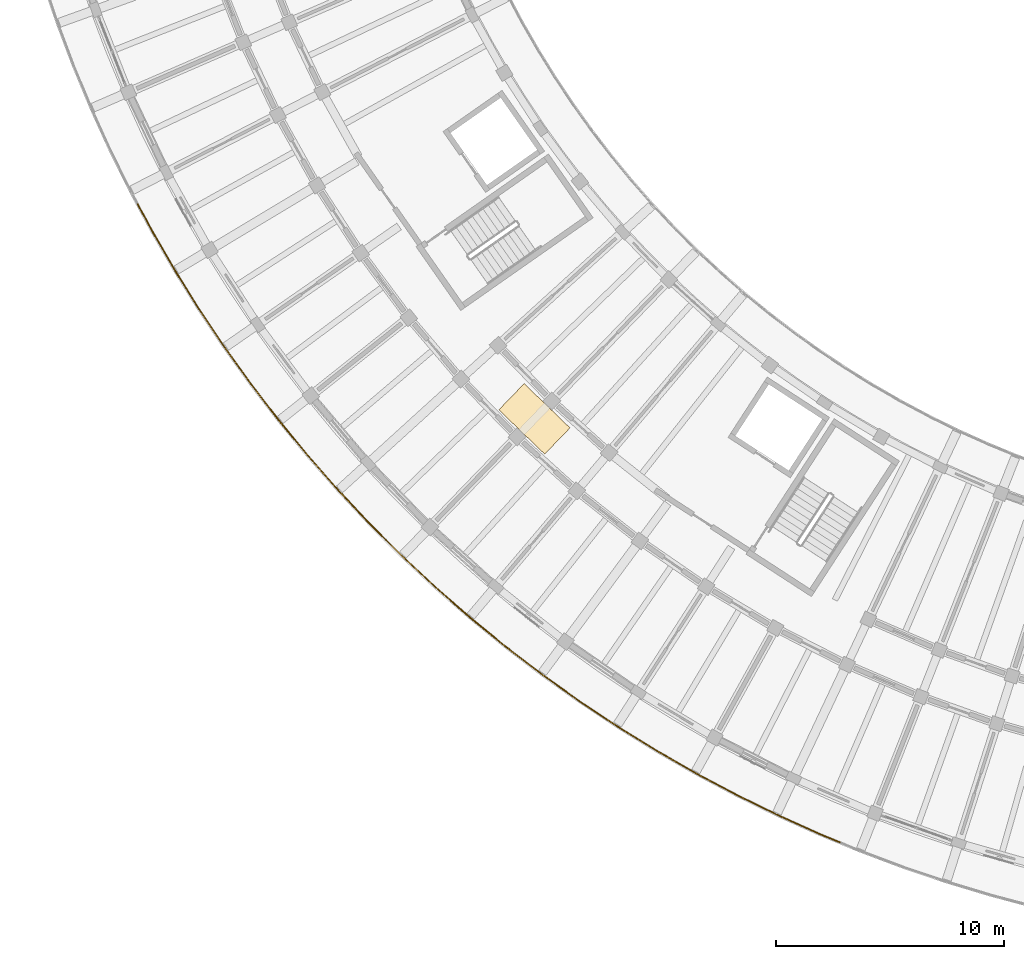
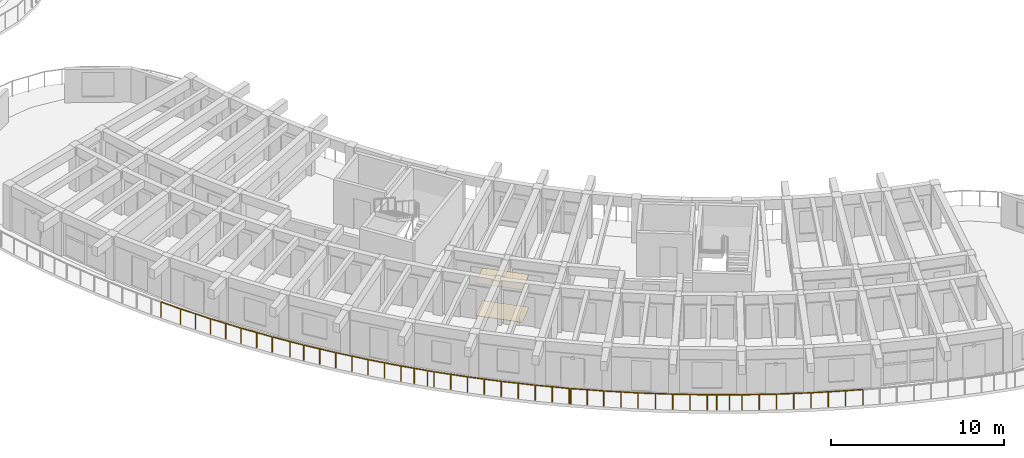
# One storey, part 65 of 81: 5 railings, 2 coverings.
"""IFC4 building model written with IfcOpenShell, lengths in metres."""

from ifc_helpers import new_model, si_unit, direction, frame, origin, origin_2d, place, context, subcontext, project, spatial, rectangle, circle, extrude, material, layer, layer_set, type_object, element, save


model = new_model("IFC4")

# Units and contexts
model_context = context("Model", 3, precision=1e-05, world=origin(), true_north=direction((0.0, 1.0)))
body_context = subcontext(model_context, "Body", "Model", "MODEL_VIEW")
ifc_project = project(units=[si_unit("LENGTHUNIT", "METRE"), si_unit("AREAUNIT", "SQUARE_METRE"), si_unit("VOLUMEUNIT", "CUBIC_METRE"), si_unit("PLANEANGLEUNIT", "RADIAN"), si_unit("MASSUNIT", "GRAM", prefix="KILO")], contexts=[model_context])

# Site, building, storey
site_placement = place(None, origin())
site = spatial("IfcSite", under=ifc_project, at=site_placement, CompositionType="ELEMENT")
building_placement = place(site_placement, origin())
building = spatial("IfcBuilding", under=site, at=building_placement, Name="Tanwirah Colonnade Gardens", CompositionType="ELEMENT")
storey_placement = place(building_placement, frame((0.0, 0.0, 18.919921875)))
storey = spatial("IfcBuildingStorey", under=building, at=storey_placement, Name="L05", CompositionType="ELEMENT", Elevation=18.919921875)

# Railings
ifc_material_1 = material(Name="Precast concrete C40/50", Category="concrete")
railing_type = type_object("IfcRailingType", Name="BAL-EXT110", PredefinedType="BALUSTRADE", material=ifc_material_1)
railing_1_placement = place(storey_placement, frame((41.62255859375, 7.81982421875, 0.0)))
element("IfcRailing", 1, at=railing_1_placement, inside=storey, type_object=railing_type, Name="Block C L05 Balcony Ribbon Balustrade 11", PredefinedType="BALUSTRADE", context=body_context, shape_type="SweptSolid", body=[
    extrude(circle(Radius=0.02392578125, at=origin_2d()), frame((-0.02880859375, 0.011962890625, 1.076171875), z_axis=(-0.924279622952, 0.381716096851, 0.0), x_axis=(-0.381716096851, -0.924279622952, 0.0)), (0.0, 0.0, 1.0), 0.966552734375),
    extrude(circle(Radius=0.02392578125, at=origin_2d()), frame((-0.979736328125, 0.40576171875, 1.076171875), z_axis=(-0.911305810052, 0.411730155035, 0.0), x_axis=(-0.411730155035, -0.911305810052, 0.0)), (0.0, 0.0, 1.0), 1.944091796875),
    extrude(circle(Radius=0.02392578125, at=origin_2d()), frame((-2.807861328125, 1.23291015625, 1.076171875), z_axis=(-0.897352335885, 0.441314836916, 0.0), x_axis=(-0.441314836916, -0.897352335885, 0.0)), (0.0, 0.0, 1.0), 1.944091796875),
    extrude(circle(Radius=0.02392578125, at=origin_2d()), frame((-4.60791015625, 2.119140625, 1.076171875), z_axis=(-0.882416921514, 0.470468252516, 0.0), x_axis=(-0.470468252516, -0.882416921514, 0.0)), (0.0, 0.0, 1.0), 1.944091796875),
    extrude(circle(Radius=0.02392578125, at=origin_2d()), frame((-6.378173828125, 3.064208984375, 1.076171875), z_axis=(-0.866602615509, 0.498998904601, 0.0), x_axis=(-0.498998904601, -0.866602615509, 0.0)), (0.0, 0.0, 1.0), 1.388671875),
    extrude(circle(Radius=0.02099609375, at=origin_2d()), origin(), (0.0, 0.0, 1.0), 1.049072265625),
    extrude(circle(Radius=0.02099609375, at=origin_2d()), frame((-0.951171875, 0.392822265625, 0.0)), (0.0, 0.0, 1.0), 1.049072265625),
    extrude(circle(Radius=0.02099609375, at=origin_2d()), frame((-1.865478515625, 0.805908203125, 0.0)), (0.0, 0.0, 1.0), 1.049072265625),
    extrude(circle(Radius=0.02099609375, at=origin_2d()), frame((-2.77978515625, 1.218994140625, 0.0)), (0.0, 0.0, 1.0), 1.049072265625),
    extrude(circle(Radius=0.02099609375, at=origin_2d()), frame((-3.68017578125, 1.66162109375, 0.0)), (0.0, 0.0, 1.0), 1.049072265625),
    extrude(circle(Radius=0.02099609375, at=origin_2d()), frame((-4.580322265625, 2.1044921875, 0.0)), (0.0, 0.0, 1.0), 1.049072265625),
    extrude(circle(Radius=0.02099609375, at=origin_2d()), frame((-5.4658203125, 2.57666015625, 0.0)), (0.0, 0.0, 1.0), 1.049072265625),
    extrude(circle(Radius=0.02099609375, at=origin_2d()), frame((-6.35107421875, 3.048583984375, 0.0)), (0.0, 0.0, 1.0), 1.049072265625),
    extrude(circle(Radius=0.02099609375, at=origin_2d()), frame((-6.97998046875, 3.41064453125, 0.0)), (0.0, 0.0, 1.0), 1.049072265625),
    extrude(circle(Radius=0.02099609375, at=origin_2d()), frame((-7.608642578125, 3.772705078125, 0.0)), (0.0, 0.0, 1.0), 1.049072265625),
])
railing_2_placement = place(storey_placement, frame((34.013916015625, 11.592529296875, 0.0)))
element("IfcRailing", 2, at=railing_2_placement, inside=storey, type_object=railing_type, Name="Block C L05 Balcony Ribbon Balustrade 12", PredefinedType="BALUSTRADE", context=body_context, shape_type="SweptSolid", body=[
    extrude(circle(Radius=0.02392578125, at=origin_2d()), frame((-0.027099609375, 0.015625, 1.076171875), z_axis=(-0.866587887703, 0.49902448125, 0.0), x_axis=(-0.49902448125, -0.866587887703, 0.0)), (0.0, 0.0, 1.0), 0.49267578125),
    extrude(circle(Radius=0.02392578125, at=origin_2d()), frame((-0.5078125, 0.293701171875, 1.076171875), z_axis=(-0.84977735452, 0.527141771959, 0.0), x_axis=(-0.527141771959, -0.84977735452, 0.0)), (0.0, 0.0, 1.0), 1.9443359375),
    extrude(circle(Radius=0.02392578125, at=origin_2d()), frame((-2.212646484375, 1.352294921875, 1.076171875), z_axis=(-0.832069011603, 0.554672119301, 0.0), x_axis=(-0.554672119301, -0.832069011603, 0.0)), (0.0, 0.0, 1.0), 1.944091796875),
    extrude(circle(Radius=0.02392578125, at=origin_2d()), frame((-3.881591796875, 2.466064453125, 1.076171875), z_axis=(-0.813486769226, 0.581583421612, 0.0), x_axis=(-0.581583421612, -0.813486769226, 0.0)), (0.0, 0.0, 1.0), 1.944091796875),
    extrude(circle(Radius=0.02392578125, at=origin_2d()), frame((-5.513427734375, 3.634033203125, 1.076171875), z_axis=(-0.794008424843, 0.60790675377, 0.0), x_axis=(-0.60790675377, -0.794008424843, 0.0)), (0.0, 0.0, 1.0), 1.862060546875),
    extrude(circle(Radius=0.02099609375, at=origin_2d()), origin(), (0.0, 0.0, 1.0), 1.049072265625),
    extrude(circle(Radius=0.02099609375, at=origin_2d()), frame((-0.481201171875, 0.277099609375, 0.0)), (0.0, 0.0, 1.0), 1.049072265625),
    extrude(circle(Radius=0.02099609375, at=origin_2d()), frame((-1.333984375, 0.80615234375, 0.0)), (0.0, 0.0, 1.0), 1.049072265625),
    extrude(circle(Radius=0.02099609375, at=origin_2d()), frame((-2.1865234375, 1.3349609375, 0.0)), (0.0, 0.0, 1.0), 1.049072265625),
    extrude(circle(Radius=0.02099609375, at=origin_2d()), frame((-3.021484375, 1.8916015625, 0.0)), (0.0, 0.0, 1.0), 1.049072265625),
    extrude(circle(Radius=0.02099609375, at=origin_2d()), frame((-3.856201171875, 2.447998046875, 0.0)), (0.0, 0.0, 1.0), 1.049072265625),
    extrude(circle(Radius=0.02099609375, at=origin_2d()), frame((-4.67236328125, 3.031494140625, 0.0)), (0.0, 0.0, 1.0), 1.049072265625),
    extrude(circle(Radius=0.02099609375, at=origin_2d()), frame((-5.488525390625, 3.614990234375, 0.0)), (0.0, 0.0, 1.0), 1.049072265625),
    extrude(circle(Radius=0.02099609375, at=origin_2d()), frame((-6.25244140625, 4.199951171875, 0.0)), (0.0, 0.0, 1.0), 1.049072265625),
    extrude(circle(Radius=0.02099609375, at=origin_2d()), frame((-7.0166015625, 4.784912109375, 0.0)), (0.0, 0.0, 1.0), 1.049072265625),
])
railing_3_placement = place(storey_placement, frame((26.997314453125, 16.37744140625, 0.0)))
element("IfcRailing", 3, at=railing_3_placement, inside=storey, type_object=railing_type, Name="Block C L05 Balcony Ribbon Balustrade 13", PredefinedType="BALUSTRADE", context=body_context, shape_type="SweptSolid", body=[
    extrude(circle(Radius=0.02392578125, at=origin_2d()), frame((-0.02490234375, 0.01904296875, 1.076171875), z_axis=(-0.794611184815, 0.607118658061, 0.0), x_axis=(-0.607118658061, -0.794611184815, 0.0)), (0.0, 0.0, 1.0), 0.01953125),
    extrude(circle(Radius=0.02392578125, at=origin_2d()), frame((-0.08935546875, 0.069580078125, 1.076171875), z_axis=(-0.773707873236, 0.633542521771, 0.0), x_axis=(-0.633542521771, -0.773707873236, 0.0)), (0.0, 0.0, 1.0), 1.944091796875),
    extrude(circle(Radius=0.02392578125, at=origin_2d()), frame((-1.64111328125, 1.341552734375, 1.076171875), z_axis=(-0.752508858808, 0.658582126553, 0.0), x_axis=(-0.658582126553, -0.752508858808, 0.0)), (0.0, 0.0, 1.0), 1.944091796875),
    extrude(circle(Radius=0.02392578125, at=origin_2d()), frame((-3.150634765625, 2.663818359375, 1.076171875), z_axis=(-0.730610060212, 0.682794947196, 0.0), x_axis=(-0.682794947196, -0.730610060212, 0.0)), (0.0, 0.0, 1.0), 1.944091796875),
    extrude(circle(Radius=0.02392578125, at=origin_2d()), frame((-4.615966796875, 4.03466796875, 1.076171875), z_axis=(-0.707897217537, 0.706315460261, 0.0), x_axis=(-0.706315460261, -0.707897217537, 0.0)), (0.0, 0.0, 1.0), 1.944091796875),
    extrude(circle(Radius=0.02392578125, at=origin_2d()), frame((-6.03564453125, 5.45263671875, 1.076171875), z_axis=(-0.684314204169, 0.729187266738, 0.0), x_axis=(-0.729187266738, -0.684314204169, 0.0)), (0.0, 0.0, 1.0), 0.3291015625),
    extrude(circle(Radius=0.02099609375, at=origin_2d()), origin(), (0.0, 0.0, 1.0), 1.049072265625),
    extrude(circle(Radius=0.02099609375, at=origin_2d()), frame((-0.065185546875, 0.0498046875, 0.0)), (0.0, 0.0, 1.0), 1.049072265625),
    extrude(circle(Radius=0.02099609375, at=origin_2d()), frame((-0.84130859375, 0.685546875, 0.0)), (0.0, 0.0, 1.0), 1.049072265625),
    extrude(circle(Radius=0.02099609375, at=origin_2d()), frame((-1.61767578125, 1.321044921875, 0.0)), (0.0, 0.0, 1.0), 1.049072265625),
    extrude(circle(Radius=0.02099609375, at=origin_2d()), frame((-2.37255859375, 1.98193359375, 0.0)), (0.0, 0.0, 1.0), 1.049072265625),
    extrude(circle(Radius=0.02099609375, at=origin_2d()), frame((-3.127685546875, 2.642578125, 0.0)), (0.0, 0.0, 1.0), 1.049072265625),
    extrude(circle(Radius=0.02099609375, at=origin_2d()), frame((-3.86083984375, 3.32763671875, 0.0)), (0.0, 0.0, 1.0), 1.049072265625),
    extrude(circle(Radius=0.02099609375, at=origin_2d()), frame((-4.59375, 4.0126953125, 0.0)), (0.0, 0.0, 1.0), 1.049072265625),
    extrude(circle(Radius=0.02099609375, at=origin_2d()), frame((-5.303955078125, 4.72119140625, 0.0)), (0.0, 0.0, 1.0), 1.049072265625),
    extrude(circle(Radius=0.02099609375, at=origin_2d()), frame((-6.01416015625, 5.429931640625, 0.0)), (0.0, 0.0, 1.0), 1.049072265625),
    extrude(circle(Radius=0.02099609375, at=origin_2d()), frame((-6.2822265625, 5.715576171875, 0.0)), (0.0, 0.0, 1.0), 1.049072265625),
])
railing_4_placement = place(storey_placement, frame((20.715087890625, 22.093017578125, 0.0)))
element("IfcRailing", 4, at=railing_4_placement, inside=storey, type_object=railing_type, Name="Block C L05 Balcony Ribbon Balustrade 14", PredefinedType="BALUSTRADE", context=body_context, shape_type="SweptSolid", body=[
    extrude(circle(Radius=0.02392578125, at=origin_2d()), frame((-0.021484375, 0.022705078125, 1.076171875), z_axis=(-0.68437850788, 0.729126914845, 0.0), x_axis=(-0.729126914845, -0.68437850788, 0.0)), (0.0, 0.0, 1.0), 1.552490234375),
    extrude(circle(Radius=0.02392578125, at=origin_2d()), frame((-1.1259765625, 1.200927734375, 1.076171875), z_axis=(-0.660199900943, 0.751089935224, 0.0), x_axis=(-0.751089935224, -0.660199900943, 0.0)), (0.0, 0.0, 1.0), 1.944091796875),
    extrude(circle(Radius=0.02392578125, at=origin_2d()), frame((-2.44970703125, 2.708740234375, 1.076171875), z_axis=(-0.635216698846, 0.77233395983, 0.0), x_axis=(-0.77233395983, -0.635216698846, 0.0)), (0.0, 0.0, 1.0), 1.944091796875),
    extrude(circle(Radius=0.02392578125, at=origin_2d()), frame((-3.7236328125, 4.259033203125, 1.076171875), z_axis=(-0.609669601555, 0.7926556484, 0.0), x_axis=(-0.7926556484, -0.609669601555, 0.0)), (0.0, 0.0, 1.0), 1.944091796875),
    extrude(circle(Radius=0.02392578125, at=origin_2d()), frame((-4.9462890625, 5.850341796875, 1.076171875), z_axis=(-0.583211557047, 0.812320306115, 0.0), x_axis=(-0.812320306115, -0.583211557047, 0.0)), (0.0, 0.0, 1.0), 0.802734375),
    extrude(circle(Radius=0.02099609375, at=origin_2d()), origin(), (0.0, 0.0, 1.0), 1.049072265625),
    extrude(circle(Radius=0.02099609375, at=origin_2d()), frame((-0.552734375, 0.5888671875, 0.0)), (0.0, 0.0, 1.0), 1.049072265625),
    extrude(circle(Radius=0.02099609375, at=origin_2d()), frame((-1.105224609375, 1.177490234375, 0.0)), (0.0, 0.0, 1.0), 1.049072265625),
    extrude(circle(Radius=0.02099609375, at=origin_2d()), frame((-1.767578125, 1.93115234375, 0.0)), (0.0, 0.0, 1.0), 1.049072265625),
    extrude(circle(Radius=0.02099609375, at=origin_2d()), frame((-2.429931640625, 2.6845703125, 0.0)), (0.0, 0.0, 1.0), 1.049072265625),
    extrude(circle(Radius=0.02099609375, at=origin_2d()), frame((-3.0673828125, 3.45947265625, 0.0)), (0.0, 0.0, 1.0), 1.049072265625),
    extrude(circle(Radius=0.02099609375, at=origin_2d()), frame((-3.70458984375, 4.234375, 0.0)), (0.0, 0.0, 1.0), 1.049072265625),
    extrude(circle(Radius=0.02099609375, at=origin_2d()), frame((-4.31640625, 5.02978515625, 0.0)), (0.0, 0.0, 1.0), 1.049072265625),
    extrude(circle(Radius=0.02099609375, at=origin_2d()), frame((-4.927978515625, 5.824951171875, 0.0)), (0.0, 0.0, 1.0), 1.049072265625),
    extrude(circle(Radius=0.02099609375, at=origin_2d()), frame((-5.4326171875, 6.52783203125, 0.0)), (0.0, 0.0, 1.0), 1.049072265625),
])
railing_5_placement = place(storey_placement, frame((15.282470703125, 28.620849609375, 0.0)))
element("IfcRailing", 5, at=railing_5_placement, inside=storey, type_object=railing_type, Name="Block C L05 Balcony Ribbon Balustrade 15", PredefinedType="BALUSTRADE", context=body_context, shape_type="SweptSolid", body=[
    extrude(circle(Radius=0.02392578125, at=origin_2d()), frame((-0.018310546875, 0.025390625, 1.076171875), z_axis=(-0.583340691187, 0.812227577718, 0.0), x_axis=(-0.812227577718, -0.583340691187, 0.0)), (0.0, 0.0, 1.0), 1.078857421875),
    extrude(circle(Radius=0.02392578125, at=origin_2d()), frame((-0.68310546875, 0.952880859375, 1.076171875), z_axis=(-0.556495801451, 0.830850421537, 0.0), x_axis=(-0.830850421537, -0.556495801451, 0.0)), (0.0, 0.0, 1.0), 1.944091796875),
    extrude(circle(Radius=0.02392578125, at=origin_2d()), frame((-1.799072265625, 2.620849609375, 1.076171875), z_axis=(-0.529003375217, 0.848619719903, 0.0), x_axis=(-0.848619719903, -0.529003375217, 0.0)), (0.0, 0.0, 1.0), 1.944091796875),
    extrude(circle(Radius=0.02392578125, at=origin_2d()), frame((-2.859619140625, 4.32421875, 1.076171875), z_axis=(-0.500940340279, 0.865481816956, 0.0), x_axis=(-0.865481816956, -0.500940340279, 0.0)), (0.0, 0.0, 1.0), 1.94384765625),
    extrude(circle(Radius=0.02392578125, at=origin_2d()), frame((-3.86376953125, 6.061279296875, 1.076171875), z_axis=(-0.472413668616, 0.881376948703, 0.0), x_axis=(-0.881376948703, -0.472413668616, 0.0)), (0.0, 0.0, 1.0), 1.2763671875),
    extrude(circle(Radius=0.02099609375, at=origin_2d()), origin(), (0.0, 0.0, 1.0), 1.049072265625),
    extrude(circle(Radius=0.02099609375, at=origin_2d()), frame((-0.665771484375, 0.927001953125, 0.0)), (0.0, 0.0, 1.0), 1.049072265625),
    extrude(circle(Radius=0.02099609375, at=origin_2d()), frame((-1.22412109375, 1.7607421875, 0.0)), (0.0, 0.0, 1.0), 1.049072265625),
    extrude(circle(Radius=0.02099609375, at=origin_2d()), frame((-1.782470703125, 2.59423828125, 0.0)), (0.0, 0.0, 1.0), 1.049072265625),
    extrude(circle(Radius=0.02099609375, at=origin_2d()), frame((-2.313232421875, 3.44580078125, 0.0)), (0.0, 0.0, 1.0), 1.049072265625),
    extrude(circle(Radius=0.02099609375, at=origin_2d()), frame((-2.843994140625, 4.297119140625, 0.0)), (0.0, 0.0, 1.0), 1.049072265625),
    extrude(circle(Radius=0.02099609375, at=origin_2d()), frame((-3.3466796875, 5.16552734375, 0.0)), (0.0, 0.0, 1.0), 1.049072265625),
    extrude(circle(Radius=0.02099609375, at=origin_2d()), frame((-3.84912109375, 6.03369140625, 0.0)), (0.0, 0.0, 1.0), 1.049072265625),
    extrude(circle(Radius=0.02099609375, at=origin_2d()), frame((-4.481689453125, 7.2138671875, 0.0)), (0.0, 0.0, 1.0), 1.049072265625),
])

# Coverings
ifc_material_2 = material(Name="Acoustic perforated gypsum ceiling board")
ifc_layer_1 = layer(ifc_material_2, 0.014892578125)
ifc_layer_set_1 = layer_set([ifc_layer_1], Name="Acoustic perforated gypsum ceiling board")
covering_type_1 = type_object("IfcCoveringType", Name="COV-CEIL15", PredefinedType="CEILING", material=ifc_layer_set_1)
covering_1_placement = place(storey_placement, frame((28.2177734375, 26.410888671875, 2.3125), z_axis=(0.0, 0.0, 1.0), x_axis=(0.719339800339, -0.694658370459, 0.0)))
element("IfcCovering", 6, at=covering_1_placement, inside=storey, type_object=covering_type_1, Name="Block C L05 Corridor Acoustic Ceiling", PredefinedType="CEILING", context=body_context, shape_type="SweptSolid", body=[
    extrude(rectangle(XDim=2.800048828125, YDim=1.60009765625, at=origin_2d()), origin(), (0.0, 0.0, 1.0), 0.014892578125),
])
ifc_material_3 = material(Name="Honed Abu Dhabi limestone terrazzo flooring", Category="masonry")
ifc_layer_2 = layer(ifc_material_3, 0.02001953125)
ifc_layer_set_2 = layer_set([ifc_layer_2], Name="Honed Abu Dhabi limestone terrazzo flooring")
covering_type_2 = type_object("IfcCoveringType", Name="COV-FLR20", PredefinedType="FLOORING", material=ifc_layer_set_2)
covering_2_placement = place(storey_placement, frame((28.2177734375, 26.410888671875, 0.0), z_axis=(0.0, 0.0, 1.0), x_axis=(0.719339800339, -0.694658370459, 0.0)))
element("IfcCovering", 7, at=covering_2_placement, inside=storey, type_object=covering_type_2, Name="Block C L05 Corridor Terrazzo Flooring", PredefinedType="FLOORING", context=body_context, shape_type="SweptSolid", body=[
    extrude(rectangle(XDim=2.800048828125, YDim=1.60009765625, at=origin_2d()), origin(), (0.0, 0.0, 1.0), 0.02001953125),
])

save(model, "model.ifc")
